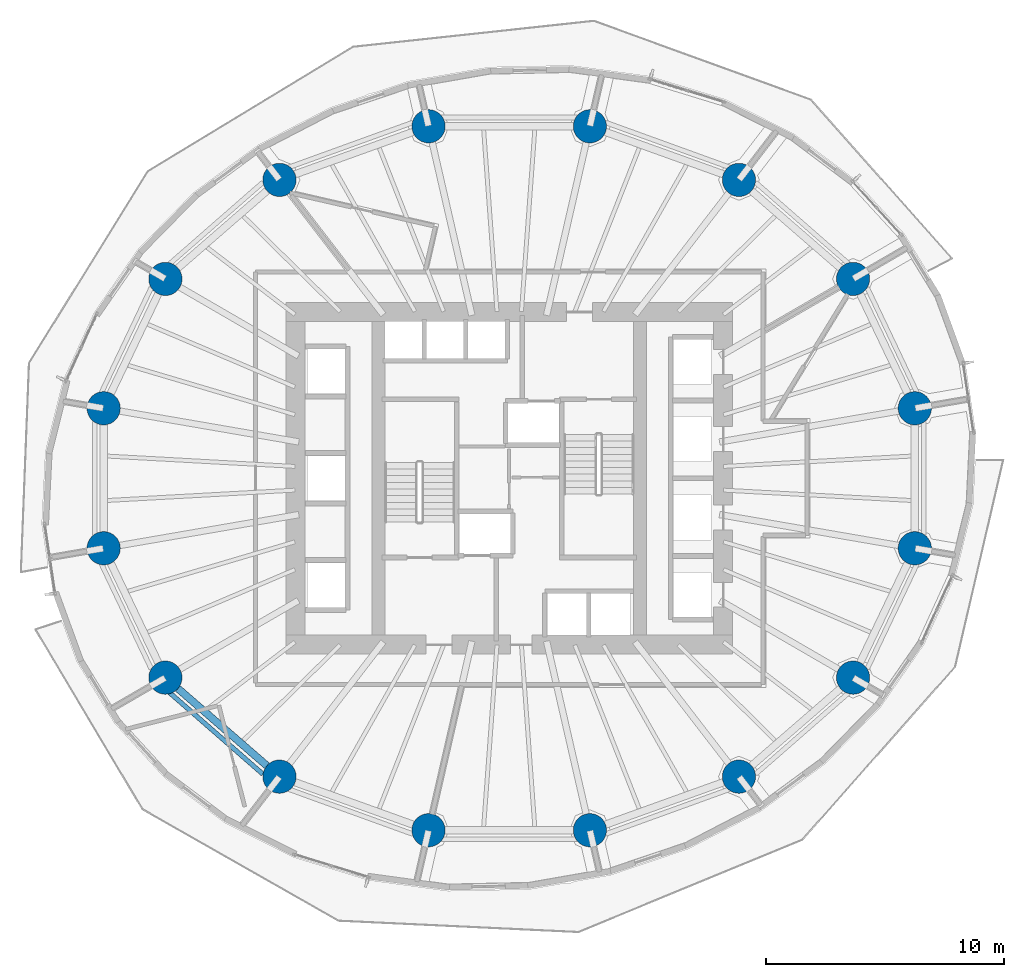
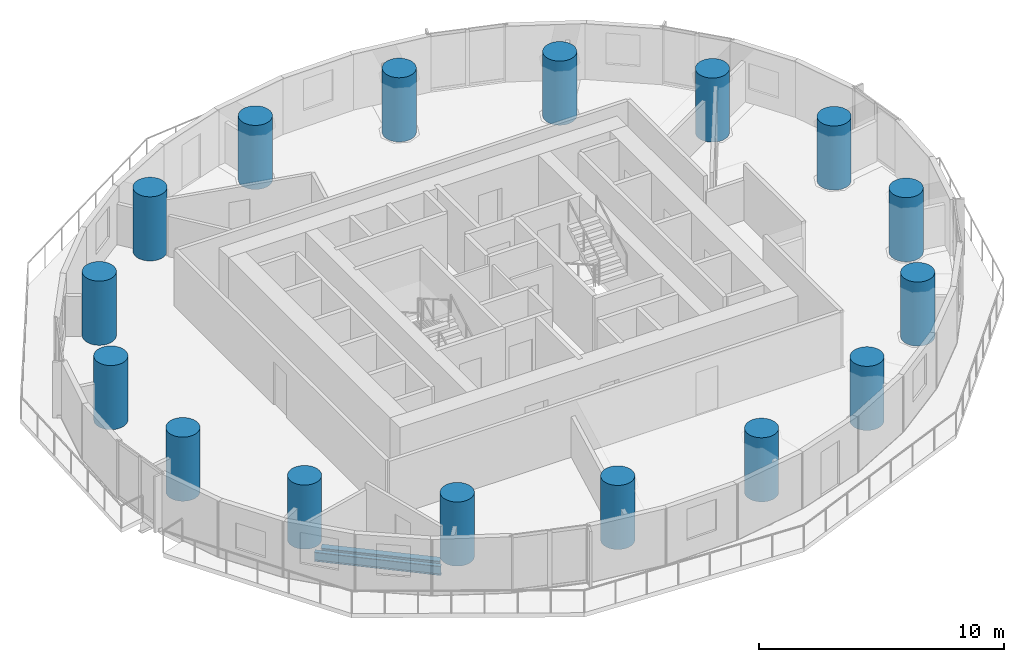
# One storey, part 1 of 13: 16 columns, 2 beams.
"""IFC4 building model written with IfcOpenShell, lengths in metres."""

from ifc_helpers import new_model, si_unit, direction, frame, origin, origin_2d, place, context, subcontext, project, spatial, circle, i_section, extrude, material, material_profile, profile_set, type_object, element, save


model = new_model("IFC4")

# Units and contexts
model_context = context("Model", 3, precision=1e-05, world=origin(), true_north=direction((0.0, 1.0)))
body_context = subcontext(model_context, "Body", "Model", "MODEL_VIEW")
ifc_project = project(units=[si_unit("LENGTHUNIT", "METRE"), si_unit("AREAUNIT", "SQUARE_METRE"), si_unit("VOLUMEUNIT", "CUBIC_METRE"), si_unit("PLANEANGLEUNIT", "RADIAN"), si_unit("MASSUNIT", "GRAM", prefix="KILO")], contexts=[model_context])

# Site, building, storey
site_placement = place(None, origin())
site = spatial("IfcSite", under=ifc_project, at=site_placement, CompositionType="ELEMENT")
building_placement = place(site_placement, origin())
building = spatial("IfcBuilding", under=site, at=building_placement, Name="Veldorim Arch Residences", CompositionType="ELEMENT")
storey_placement = place(building_placement, frame((0.0, 0.0, 63.199951171875)))
storey = spatial("IfcBuildingStorey", under=building, at=storey_placement, Name="L18", CompositionType="ELEMENT", Elevation=63.199951171875)

# Columns
ifc_material_1 = material(Name="Concrete C60/75", Category="concrete")
ifc_material_profile_1 = material_profile(ifc_material_1, circle(Radius=0.699951171875, at=origin_2d()), Name="RC_CIRC_1400")
ifc_profile_set_1 = profile_set([ifc_material_profile_1], Name="Concrete C60/75")
column_type = type_object("IfcColumnType", Name="Structural Column RC_CIRC_1400", PredefinedType="COLUMN", material=ifc_profile_set_1)
for number, where, z_axis, x_axis, name in (
    (1, (49.065673828125, 26.94580078125, 0.0), (0.0, 0.0, 1.0), (1.0, 0.0, 0.0), "L18 TC-Z1-01 perimeter column"),
    (2, (46.467529296875, 32.38916015625, 0.0), (0.0, 0.0, 1.0), (1.0, 0.0, 0.0), "L18 TC-Z1-02 perimeter column"),
    (3, (41.6669921875, 36.55517578125, 0.0), (0.0, 0.0, 1.0), (1.0, 0.0, 0.0), "L18 TC-Z1-03 perimeter column"),
    (4, (35.39453125, 38.809814453125, 0.0), (0.0, 0.0, 1.0), (1.0, 0.0, 0.0), "L18 TC-Z1-04 perimeter column"),
    (5, (28.60546875, 38.809814453125, 0.0), (0.0, 0.0, 1.0), (1.0, 0.0, 0.0), "L18 TC-Z1-05 perimeter column"),
    (6, (22.3330078125, 36.55517578125, 0.0), (0.0, 0.0, 1.0), (1.0, 0.0, 0.0), "L18 TC-Z1-06 perimeter column"),
    (7, (17.532470703125, 32.38916015625, 0.0), (0.0, 0.0, 1.0), (1.0, 0.0, 0.0), "L18 TC-Z1-07 perimeter column"),
    (8, (14.934326171875, 26.94580078125, 0.0), (0.0, 0.0, 1.0), (1.0, 0.0, 0.0), "L18 TC-Z1-08 perimeter column"),
    (9, (14.934326171875, 21.05419921875, 0.0), (0.0, 0.0, 1.0), (1.0, 0.0, 0.0), "L18 TC-Z1-09 perimeter column"),
    (10, (17.532470703125, 15.61083984375, 0.0), (0.0, 0.0, 1.0), (1.0, 0.0, 0.0), "L18 TC-Z1-10 perimeter column"),
    (11, (22.3330078125, 11.44482421875, 0.0), (0.0, 0.0, 1.0), (1.0, 0.0, 0.0), "L18 TC-Z1-11 perimeter column"),
    (12, (28.60546875, 9.190185546875, 0.0), (0.0, 0.0, 1.0), (1.0, 0.0, 0.0), "L18 TC-Z1-12 perimeter column"),
    (13, (35.39453125, 9.190185546875, 0.0), (0.0, 0.0, 1.0), (1.0, 0.0, 0.0), "L18 TC-Z1-13 perimeter column"),
    (14, (41.6669921875, 11.44482421875, 0.0), (0.0, 0.0, 1.0), (1.0, 0.0, 0.0), "L18 TC-Z1-14 perimeter column"),
    (15, (46.467529296875, 15.61083984375, 0.0), (0.0, 0.0, 1.0), (1.0, 0.0, 0.0), "L18 TC-Z1-15 perimeter column"),
    (16, (49.065673828125, 21.05419921875, 0.0), (0.0, 0.0, 1.0), (1.0, 0.0, 0.0), "L18 TC-Z1-16 perimeter column"),
):
    element("IfcColumn", number, at=place(storey_placement, frame(where, z_axis=z_axis, x_axis=x_axis)), inside=storey, type_object=column_type, Name=name, PredefinedType="COLUMN", context=body_context, shape_type="SweptSolid", body=[
        extrude(circle(Radius=0.699951171875, at=origin_2d()), origin(), (0.0, 0.0, 1.0), 3.199951171875),
    ])

# Beams
ifc_material_2 = material(Name="Steel S355", Category="steel")
ifc_material_profile_2 = material_profile(ifc_material_2, i_section(OverallWidth=0.30712890625, OverallDepth=0.6201171875, WebThickness=0.01416015625, FlangeThickness=0.023681640625, at=origin_2d()), Name="UB610x305x179")
ifc_profile_set_2 = profile_set([ifc_material_profile_2], Name="Steel S355")
beam_type_1 = type_object("IfcBeamType", Name="Structural Steel Beam UB610x305x179", PredefinedType="BEAM", material=ifc_profile_set_2)
beam_1_placement = place(storey_placement, frame((18.06103515625, 15.152099609375, -0.550048828125), z_axis=(0.755264734985, -0.655419850239, 0.0), x_axis=(0.655419850239, 0.755264734985, 0.0)))
element("IfcBeam", 17, at=beam_1_placement, inside=storey, type_object=beam_type_1, Name="L18 perimeter ring tie beam 10", PredefinedType="BEAM", context=body_context, shape_type="SweptSolid", body=[
    extrude(i_section(OverallWidth=0.30712890625, OverallDepth=0.6201171875, WebThickness=0.01416015625, FlangeThickness=0.023681640625, at=origin_2d()), origin(), (0.0, 0.0, 1.0), 4.956298828125),
])
ifc_material_3 = material(Name="Steel S355", Category="steel")
ifc_material_profile_3 = material_profile(ifc_material_3, i_section(OverallWidth=0.19140625, OverallDepth=0.4599609375, WebThickness=0.010009765625, FlangeThickness=0.01611328125, at=origin_2d()), Name="UB457x191x82")
ifc_profile_set_3 = profile_set([ifc_material_profile_3], Name="Steel S355")
beam_type_2 = type_object("IfcBeamType", Name="Structural Steel Spandrel UB457x191x82", PredefinedType="SPANDREL", material=ifc_profile_set_3)
beam_2_placement = place(storey_placement, frame((17.667724609375, 15.01513671875, -0.489990234375), z_axis=(0.75323350982, -0.657753205758, 0.0), x_axis=(0.657753205758, 0.75323350982, 0.0)))
element("IfcBeam", 18, at=beam_2_placement, inside=storey, type_object=beam_type_2, Name="L18 perimeter chord spandrel beam 10", PredefinedType="SPANDREL", context=body_context, shape_type="SweptSolid", body=[
    extrude(i_section(OverallWidth=0.19140625, OverallDepth=0.4599609375, WebThickness=0.010009765625, FlangeThickness=0.01611328125, at=origin_2d()), origin(), (0.0, 0.0, 1.0), 5.27001953125),
])

save(model, "model.ifc")
